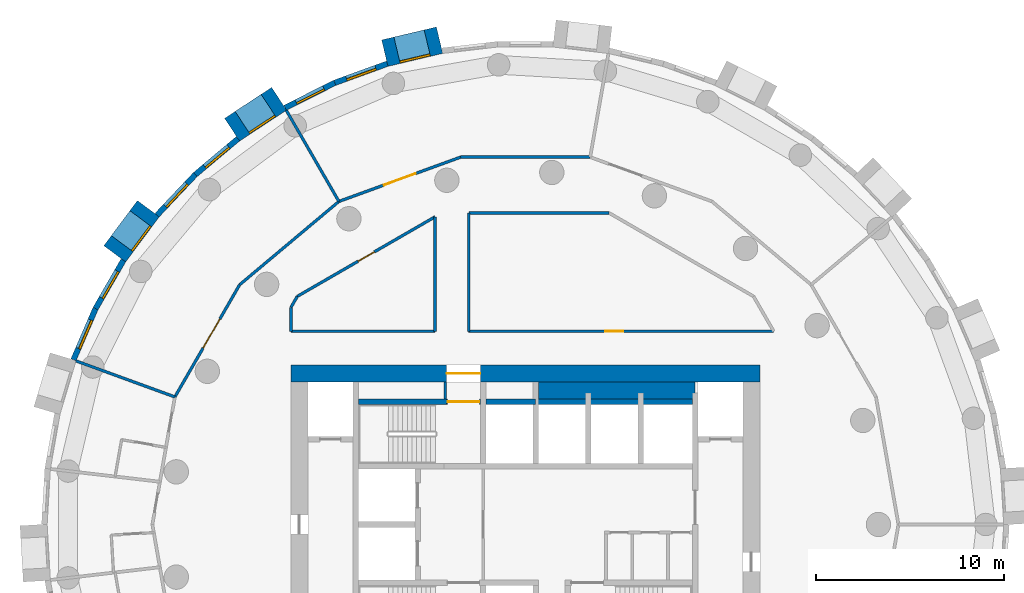
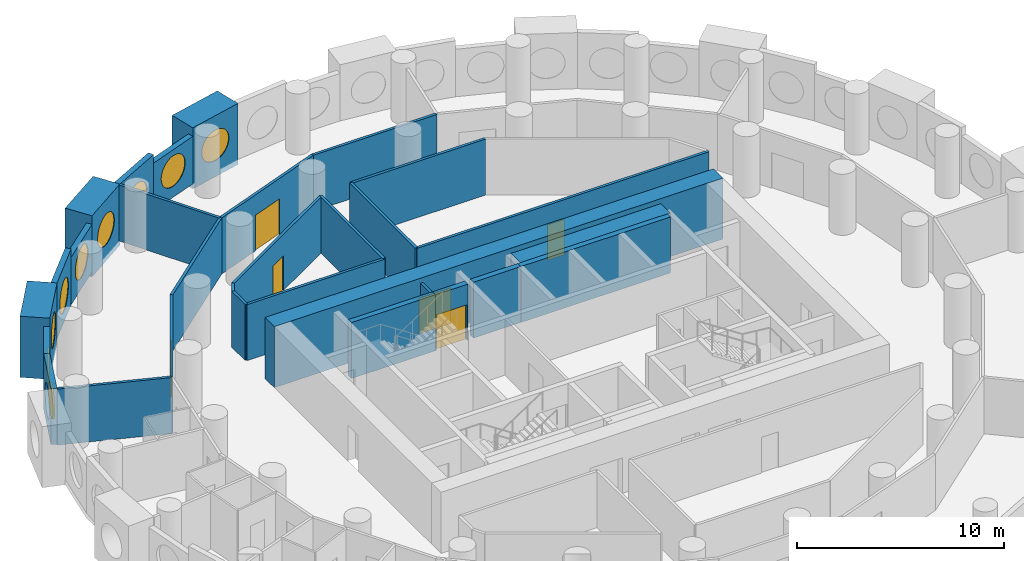
# One storey, part 6 of 9: 30 walls, 9 windows, 6 doors, 15 openings.
"""IFC4 building model written with IfcOpenShell, lengths in metres."""

from ifc_helpers import new_model, si_unit, direction, frame, frame_2d, origin, origin_2d, place, context, subcontext, project, spatial, rectangle, circle, extrude, material, layer, layer_set, type_object, element, fill, save


model = new_model("IFC4")

# Units and contexts
model_context = context("Model", 3, precision=1e-05, world=origin(), true_north=direction((0.0, 1.0)))
body_context = subcontext(model_context, "Body", "Model", "MODEL_VIEW")
ifc_project = project(units=[si_unit("LENGTHUNIT", "METRE"), si_unit("AREAUNIT", "SQUARE_METRE"), si_unit("VOLUMEUNIT", "CUBIC_METRE"), si_unit("PLANEANGLEUNIT", "RADIAN"), si_unit("MASSUNIT", "GRAM", prefix="KILO")], contexts=[model_context])

# Site, building, storey
site_placement = place(None, origin())
site = spatial("IfcSite", under=ifc_project, at=site_placement, CompositionType="ELEMENT")
building_placement = place(site_placement, origin())
building = spatial("IfcBuilding", under=site, at=building_placement, Name="Tracery Tower", CompositionType="ELEMENT")
storey_placement = place(building_placement, frame((0.0, 0.0, 208.800048828125)))
storey = spatial("IfcBuildingStorey", under=building, at=storey_placement, Name="L54", CompositionType="ELEMENT", Elevation=208.800048828125)

# Walls
ifc_material_1 = material(Name="Plasterboard on steel studs", Category="steel")
ifc_layer_1 = layer(ifc_material_1, 0.14990234375)
ifc_layer_set_1 = layer_set([ifc_layer_1], Name="Core room partition 150")
wall_type_1 = type_object("IfcWallType", Name="Core room partition 150", PredefinedType="SOLIDWALL", material=ifc_layer_set_1)
wall_1_placement = place(storey_placement, frame((-4.27490234375, 6.699951171875, 0.0), z_axis=(0.0, 0.0, 1.0), x_axis=(0.0, 1.0, 0.0)))
element("IfcWall", 1, at=wall_1_placement, inside=storey, type_object=wall_type_1, Name="L54 F N room", PredefinedType="SOLIDWALL", context=body_context, shape_type="SweptSolid", body=[
    extrude(rectangle(XDim=0.900146484375, YDim=0.14990234375, at=frame_2d((0.4501953125, 0.0))), origin(), (0.0, 0.0, 1.0), 3.300048828125),
])
ifc_material_2 = material(Name="Concrete C50/60", Category="concrete")
ifc_layer_2 = layer(ifc_material_2, 0.89990234375)
ifc_layer_set_2 = layer_set([ifc_layer_2], Name="Core strip wall 900 C50")
wall_type_2 = type_object("IfcWallType", Name="Core strip wall 900 C50", PredefinedType="SOLIDWALL", material=ifc_layer_set_2)
wall_2_placement = place(storey_placement, frame((0.699951171875, 7.14990234375, 0.0), z_axis=(0.0, 0.0, 1.0), x_axis=(1.0, 0.0, 0.0)))
element("IfcWall", 2, at=wall_2_placement, inside=storey, type_object=wall_type_2, Name="L54 F thick N E", PredefinedType="SOLIDWALL", context=body_context, shape_type="SweptSolid", body=[
    extrude(rectangle(XDim=8.35009765625, YDim=0.89990234375, at=frame_2d((4.175048828125, 0.0))), origin(), (0.0, 0.0, 1.0), 3.300048828125),
])

# Wall, opening, door
ifc_material_3 = material(Name="Concrete C50/60", Category="concrete")
ifc_layer_3 = layer(ifc_material_3, 0.89990234375)
ifc_layer_set_3 = layer_set([ifc_layer_3], Name="Core wall 900 C50")
wall_type_3 = type_object("IfcWallType", Name="Core wall 900 C50", PredefinedType="SOLIDWALL", material=ifc_layer_set_3)
wall_3_placement = place(storey_placement, frame((-12.5, 8.050048828125, 0.0), z_axis=(0.0, 0.0, 1.0), x_axis=(1.0, 0.0, 0.0)))
wall_3 = element("IfcWall", 3, at=wall_3_placement, inside=storey, type_object=wall_type_3, Name="L54 outer N", PredefinedType="SOLIDWALL", context=body_context, shape_type="SweptSolid", body=[
    extrude(rectangle(XDim=25.0, YDim=0.89990234375, at=frame_2d((12.5, 0.0))), origin(), (0.0, 0.0, 1.0), 3.599853515625),
])
opening_1_placement = place(wall_3_placement, frame((8.300048828125, 0.0, 0.0)))
opening_1 = element("IfcOpeningElement", 4, at=opening_1_placement, cuts=wall_3, Name="Opening KD13", PredefinedType="OPENING", context=body_context, shape_type="SweptSolid", body=[
    extrude(rectangle(XDim=1.800048828125, YDim=2.10009765625, at=frame_2d((0.89990234375, 1.050048828125))), frame((0.0, 0.449951171875, 0.0), z_axis=(0.0, -1.0, 0.0), x_axis=(1.0, 0.0, 0.0)), (0.0, 0.0, 1.0), 0.89990234375),
])
ifc_material_4 = material(Name="Steel fire door", Category="steel")
door_type_1 = type_object("IfcDoorType", Name="Core exit door 1800 double", OperationType="NOTDEFINED", PredefinedType="DOOR", material=ifc_material_4)
door_1_placement = place(opening_1_placement, origin())
door_1 = element("IfcDoor", 5, at=door_1_placement, inside=storey, type_object=door_type_1, Name="Core exit door", OperationType="DOUBLE_DOOR_SINGLE_SWING", OverallHeight=2.10009765625, OverallWidth=1.800048828125, PredefinedType="DOOR", context=body_context, shape_type="SweptSolid", body=[
    extrude(rectangle(XDim=1.800048828125, YDim=2.10009765625, at=frame_2d((0.89990234375, 1.050048828125))), frame((0.0, 0.02490234375, 0.0), z_axis=(0.0, -1.0, 0.0), x_axis=(1.0, 0.0, 0.0)), (0.0, 0.0, 1.0), 0.050048828125),
])
fill(opening_1, door_1)

# Wall, opening, window
ifc_material_5 = material(Name="Precast concrete C50/60", Category="concrete")
ifc_layer_4 = layer(ifc_material_5, 1.449951171875)
ifc_layer_set_4 = layer_set([ifc_layer_4], Name="Deep-set bay unit 3000 x 3600, slab edge 300")
wall_type_4 = type_object("IfcWallType", Name="Deep-set bay unit 3000 x 3600, slab edge 300", PredefinedType="ELEMENTEDWALL", material=ifc_layer_set_4)
wall_4_placement = place(storey_placement, frame((-4.57763671875, 25.8193359375, -0.300048828125), z_axis=(0.0, 0.0, 1.0), x_axis=(-0.973042333261, -0.23062657627, 0.0)))
wall_4 = element("IfcWall", 6, at=wall_4_placement, inside=storey, type_object=wall_type_4, Name="Deep-set bay unit 16 at L54", PredefinedType="ELEMENTEDWALL", context=body_context, shape_type="SweptSolid", body=[
    extrude(rectangle(XDim=3.0, YDim=1.449951171875, at=frame_2d((1.5, 0.0))), origin(), (0.0, 0.0, 1.0), 3.60009765625),
])
opening_2_placement = place(wall_4_placement, frame((1.5, 0.0, 1.85009765625)))
opening_2 = element("IfcOpeningElement", 7, at=opening_2_placement, cuts=wall_4, Name="Opening WN1", PredefinedType="OPENING", context=body_context, shape_type="SweptSolid", body=[
    extrude(circle(Radius=0.9000244140625, at=origin_2d()), frame((0.0, 0.73486328125, 0.0), z_axis=(0.0, -1.0, 0.0), x_axis=(1.0, 0.0, 0.0)), (0.0, 0.0, 1.0), 1.469970703125),
])
ifc_material_6 = material(Name="Aluminium frame with tinted double glazing", Category="aluminium")
window_type = type_object("IfcWindowType", Name="Round window 1800", PartitioningType="SINGLE_PANEL", PredefinedType="WINDOW", material=ifc_material_6)
window_1_placement = place(opening_2_placement, origin())
window_1 = element("IfcWindow", 8, at=window_1_placement, inside=storey, type_object=window_type, Name="Round window 16 at L54", OverallHeight=1.800048828125, OverallWidth=1.800048828125, PartitioningType="SINGLE_PANEL", PredefinedType="WINDOW", context=body_context, shape_type="SweptSolid", body=[
    extrude(circle(Radius=0.9000244140625, at=origin_2d()), frame((0.0, 0.69482421875, 0.0), z_axis=(0.0, -1.0, 0.0), x_axis=(1.0, 0.0, 0.0)), (0.0, 0.0, 1.0), 0.10009765625),
])
fill(opening_2, window_1)

wall_5_placement = place(storey_placement, frame((-13.13232421875, 22.696533203125, -0.300048828125), z_axis=(0.0, 0.0, 1.0), x_axis=(-0.835514416706, -0.549468524554, 0.0)))
wall_5 = element("IfcWall", 9, at=wall_5_placement, inside=storey, type_object=wall_type_4, Name="Deep-set bay unit 19 at L54", PredefinedType="ELEMENTEDWALL", context=body_context, shape_type="SweptSolid", body=[
    extrude(rectangle(XDim=3.0, YDim=1.449951171875, at=frame_2d((1.5, 0.0))), origin(), (0.0, 0.0, 1.0), 3.60009765625),
])
opening_3_placement = place(wall_5_placement, frame((1.5, 0.0, 1.85009765625)))
opening_3 = element("IfcOpeningElement", 10, at=opening_3_placement, cuts=wall_5, Name="Opening WN1", PredefinedType="OPENING", context=body_context, shape_type="SweptSolid", body=[
    extrude(circle(Radius=0.9000244140625, at=origin_2d()), frame((0.0, 0.73486328125, 0.0), z_axis=(0.0, -1.0, 0.0), x_axis=(1.0, 0.0, 0.0)), (0.0, 0.0, 1.0), 1.469970703125),
])
window_2_placement = place(opening_3_placement, origin())
window_2 = element("IfcWindow", 11, at=window_2_placement, inside=storey, type_object=window_type, Name="Round window 19 at L54", OverallHeight=1.800048828125, OverallWidth=1.800048828125, PartitioningType="SINGLE_PANEL", PredefinedType="WINDOW", context=body_context, shape_type="SweptSolid", body=[
    extrude(circle(Radius=0.9000244140625, at=origin_2d()), frame((0.0, 0.69482421875, 0.0), z_axis=(0.0, -1.0, 0.0), x_axis=(1.0, 0.0, 0.0)), (0.0, 0.0, 1.0), 0.10009765625),
])
fill(opening_3, window_2)

wall_6_placement = place(storey_placement, frame((-20.10302734375, 16.836181640625, -0.300048828125), z_axis=(0.0, 0.0, 1.0), x_axis=(-0.597183717734, -0.802104486506, 0.0)))
wall_6 = element("IfcWall", 12, at=wall_6_placement, inside=storey, type_object=wall_type_4, Name="Deep-set bay unit 22 at L54", PredefinedType="ELEMENTEDWALL", context=body_context, shape_type="SweptSolid", body=[
    extrude(rectangle(XDim=3.0, YDim=1.449951171875, at=frame_2d((1.5, 0.0))), origin(), (0.0, 0.0, 1.0), 3.60009765625),
])
opening_4_placement = place(wall_6_placement, frame((1.5, 0.0, 1.85009765625)))
opening_4 = element("IfcOpeningElement", 13, at=opening_4_placement, cuts=wall_6, Name="Opening WN1", PredefinedType="OPENING", context=body_context, shape_type="SweptSolid", body=[
    extrude(circle(Radius=0.9000244140625, at=origin_2d()), frame((0.0, 0.73486328125, 0.0), z_axis=(0.0, -1.0, 0.0), x_axis=(1.0, 0.0, 0.0)), (0.0, 0.0, 1.0), 1.469970703125),
])
window_3_placement = place(opening_4_placement, origin())
window_3 = element("IfcWindow", 14, at=window_3_placement, inside=storey, type_object=window_type, Name="Round window 22 at L54", OverallHeight=1.800048828125, OverallWidth=1.800048828125, PartitioningType="SINGLE_PANEL", PredefinedType="WINDOW", context=body_context, shape_type="SweptSolid", body=[
    extrude(circle(Radius=0.9000244140625, at=origin_2d()), frame((0.0, 0.69482421875, 0.0), z_axis=(0.0, -1.0, 0.0), x_axis=(1.0, 0.0, 0.0)), (0.0, 0.0, 1.0), 0.10009765625),
])
fill(opening_4, window_3)

ifc_material_7 = material(Name="Precast concrete C50/60", Category="concrete")
ifc_layer_5 = layer(ifc_material_7, 0.300048828125)
ifc_layer_set_5 = layer_set([ifc_layer_5], Name="Facade panel 3000 x 2800")
wall_type_5 = type_object("IfcWallType", Name="Facade panel 3000 x 2800", PredefinedType="SOLIDWALL", material=ifc_layer_set_5)
wall_7_placement = place(storey_placement, frame((-7.36474609375, 24.566650390625, 0.0), z_axis=(0.0, 0.0, 1.0), x_axis=(-0.939690282133, -0.342026568652, 0.0)))
wall_7 = element("IfcWall", 15, at=wall_7_placement, inside=storey, type_object=wall_type_5, Name="Facade panel 17 at L54", PredefinedType="SOLIDWALL", context=body_context, shape_type="SweptSolid", body=[
    extrude(rectangle(XDim=2.972900390625, YDim=0.300048828125, at=frame_2d((1.486328125, 0.0))), origin(), (0.0, 0.0, 1.0), 2.800048828125),
])
opening_5_placement = place(wall_7_placement, frame((1.486328125, 0.0, 1.5498046875)))
opening_5 = element("IfcOpeningElement", 16, at=opening_5_placement, cuts=wall_7, Name="Opening WN1", PredefinedType="OPENING", context=body_context, shape_type="SweptSolid", body=[
    extrude(circle(Radius=0.9000244140625, at=origin_2d()), frame((0.0, 0.159912109375, 0.0), z_axis=(0.0, -1.0, 0.0), x_axis=(1.0, 0.0, 0.0)), (0.0, 0.0, 1.0), 0.320068359375),
])
window_4_placement = place(opening_5_placement, origin())
window_4 = element("IfcWindow", 17, at=window_4_placement, inside=storey, type_object=window_type, Name="Round window 17 at L54", OverallHeight=1.800048828125, OverallWidth=1.800048828125, PartitioningType="SINGLE_PANEL", PredefinedType="WINDOW", context=body_context, shape_type="SweptSolid", body=[
    extrude(circle(Radius=0.9000244140625, at=origin_2d()), frame((0.0, 0.1201171875, 0.0), z_axis=(0.0, -1.0, 0.0), x_axis=(1.0, 0.0, 0.0)), (0.0, 0.0, 1.0), 0.10009765625),
])
fill(opening_5, window_4)

wall_8_placement = place(storey_placement, frame((-15.322998046875, 20.566162109375, 0.0), z_axis=(0.0, 0.0, 1.0), x_axis=(-0.766049350637, -0.642781761089, 0.0)))
wall_8 = element("IfcWall", 18, at=wall_8_placement, inside=storey, type_object=wall_type_5, Name="Facade panel 20 at L54", PredefinedType="SOLIDWALL", context=body_context, shape_type="SweptSolid", body=[
    extrude(rectangle(XDim=2.972900390625, YDim=0.300048828125, at=frame_2d((1.486328125, 0.0))), origin(), (0.0, 0.0, 1.0), 2.800048828125),
])
opening_6_placement = place(wall_8_placement, frame((1.486328125, 0.0, 1.5498046875)))
opening_6 = element("IfcOpeningElement", 19, at=opening_6_placement, cuts=wall_8, Name="Opening WN1", PredefinedType="OPENING", context=body_context, shape_type="SweptSolid", body=[
    extrude(circle(Radius=0.9000244140625, at=origin_2d()), frame((0.0, 0.159912109375, 0.0), z_axis=(0.0, -1.0, 0.0), x_axis=(1.0, 0.0, 0.0)), (0.0, 0.0, 1.0), 0.320068359375),
])
window_5_placement = place(opening_6_placement, origin())
window_5 = element("IfcWindow", 20, at=window_5_placement, inside=storey, type_object=window_type, Name="Round window 20 at L54", OverallHeight=1.800048828125, OverallWidth=1.800048828125, PartitioningType="SINGLE_PANEL", PredefinedType="WINDOW", context=body_context, shape_type="SweptSolid", body=[
    extrude(circle(Radius=0.9000244140625, at=origin_2d()), frame((0.0, 0.1201171875, 0.0), z_axis=(0.0, -1.0, 0.0), x_axis=(1.0, 0.0, 0.0)), (0.0, 0.0, 1.0), 0.10009765625),
])
fill(opening_6, window_5)

wall_9_placement = place(storey_placement, frame((-21.432861328125, 14.085205078125, 0.0), z_axis=(0.0, 0.0, 1.0), x_axis=(-0.500016263033, -0.866016014115, 0.0)))
wall_9 = element("IfcWall", 21, at=wall_9_placement, inside=storey, type_object=wall_type_5, Name="Facade panel 23 at L54", PredefinedType="SOLIDWALL", context=body_context, shape_type="SweptSolid", body=[
    extrude(rectangle(XDim=2.97314453125, YDim=0.300048828125, at=frame_2d((1.486572265625, 0.0))), origin(), (0.0, 0.0, 1.0), 2.800048828125),
])
opening_7_placement = place(wall_9_placement, frame((1.486328125, 0.0, 1.5498046875)))
opening_7 = element("IfcOpeningElement", 22, at=opening_7_placement, cuts=wall_9, Name="Opening WN1", PredefinedType="OPENING", context=body_context, shape_type="SweptSolid", body=[
    extrude(circle(Radius=0.9000244140625, at=origin_2d()), frame((0.0, 0.159912109375, 0.0), z_axis=(0.0, -1.0, 0.0), x_axis=(1.0, 0.0, 0.0)), (0.0, 0.0, 1.0), 0.320068359375),
])
window_6_placement = place(opening_7_placement, origin())
window_6 = element("IfcWindow", 23, at=window_6_placement, inside=storey, type_object=window_type, Name="Round window 23 at L54", OverallHeight=1.800048828125, OverallWidth=1.800048828125, PartitioningType="SINGLE_PANEL", PredefinedType="WINDOW", context=body_context, shape_type="SweptSolid", body=[
    extrude(circle(Radius=0.9000244140625, at=origin_2d()), frame((0.0, 0.1201171875, 0.0), z_axis=(0.0, -1.0, 0.0), x_axis=(1.0, 0.0, 0.0)), (0.0, 0.0, 1.0), 0.10009765625),
])
fill(opening_7, window_6)

ifc_material_8 = material(Name="Precast concrete C50/60", Category="concrete")
ifc_layer_6 = layer(ifc_material_8, 0.300048828125)
ifc_layer_set_6 = layer_set([ifc_layer_6], Name="Facade panel 3000 x 3300")
wall_type_6 = type_object("IfcWallType", Name="Facade panel 3000 x 3300", PredefinedType="SOLIDWALL", material=ifc_layer_set_6)
wall_10_placement = place(storey_placement, frame((-10.158447265625, 23.5498046875, 0.0), z_axis=(0.0, 0.0, 1.0), x_axis=(-0.893637442555, -0.448789618045, 0.0)))
wall_10 = element("IfcWall", 24, at=wall_10_placement, inside=storey, type_object=wall_type_6, Name="Facade panel 18 at L54", PredefinedType="SOLIDWALL", context=body_context, shape_type="SweptSolid", body=[
    extrude(rectangle(XDim=2.972900390625, YDim=0.300048828125, at=frame_2d((1.486328125, 0.0))), origin(), (0.0, 0.0, 1.0), 3.300048828125),
])
opening_8_placement = place(wall_10_placement, frame((1.486328125, 0.0, 1.5498046875)))
opening_8 = element("IfcOpeningElement", 25, at=opening_8_placement, cuts=wall_10, Name="Opening WN1", PredefinedType="OPENING", context=body_context, shape_type="SweptSolid", body=[
    extrude(circle(Radius=0.9000244140625, at=origin_2d()), frame((0.0, 0.159912109375, 0.0), z_axis=(0.0, -1.0, 0.0), x_axis=(1.0, 0.0, 0.0)), (0.0, 0.0, 1.0), 0.320068359375),
])
window_7_placement = place(opening_8_placement, origin())
window_7 = element("IfcWindow", 26, at=window_7_placement, inside=storey, type_object=window_type, Name="Round window 18 at L54", OverallHeight=1.800048828125, OverallWidth=1.800048828125, PartitioningType="SINGLE_PANEL", PredefinedType="WINDOW", context=body_context, shape_type="SweptSolid", body=[
    extrude(circle(Radius=0.9000244140625, at=origin_2d()), frame((0.0, 0.1201171875, 0.0), z_axis=(0.0, -1.0, 0.0), x_axis=(1.0, 0.0, 0.0)), (0.0, 0.0, 1.0), 0.10009765625),
])
fill(opening_8, window_7)

wall_11_placement = place(storey_placement, frame((-17.600341796875, 18.6552734375, 0.0), z_axis=(0.0, 0.0, 1.0), x_axis=(-0.686235184166, -0.727379730273, 0.0)))
wall_11 = element("IfcWall", 27, at=wall_11_placement, inside=storey, type_object=wall_type_6, Name="Facade panel 21 at L54", PredefinedType="SOLIDWALL", context=body_context, shape_type="SweptSolid", body=[
    extrude(rectangle(XDim=2.972900390625, YDim=0.300048828125, at=frame_2d((1.486328125, 0.0))), origin(), (0.0, 0.0, 1.0), 3.300048828125),
])
opening_9_placement = place(wall_11_placement, frame((1.486328125, 0.0, 1.5498046875)))
opening_9 = element("IfcOpeningElement", 28, at=opening_9_placement, cuts=wall_11, Name="Opening WN1", PredefinedType="OPENING", context=body_context, shape_type="SweptSolid", body=[
    extrude(circle(Radius=0.9000244140625, at=origin_2d()), frame((0.0, 0.159912109375, 0.0), z_axis=(0.0, -1.0, 0.0), x_axis=(1.0, 0.0, 0.0)), (0.0, 0.0, 1.0), 0.320068359375),
])
window_8_placement = place(opening_9_placement, origin())
window_8 = element("IfcWindow", 29, at=window_8_placement, inside=storey, type_object=window_type, Name="Round window 21 at L54", OverallHeight=1.800048828125, OverallWidth=1.800048828125, PartitioningType="SINGLE_PANEL", PredefinedType="WINDOW", context=body_context, shape_type="SweptSolid", body=[
    extrude(circle(Radius=0.9000244140625, at=origin_2d()), frame((0.0, 0.1201171875, 0.0), z_axis=(0.0, -1.0, 0.0), x_axis=(1.0, 0.0, 0.0)), (0.0, 0.0, 1.0), 0.10009765625),
])
fill(opening_9, window_8)

wall_12_placement = place(storey_placement, frame((-22.91943359375, 11.510498046875, 0.0), z_axis=(0.0, 0.0, 1.0), x_axis=(-0.396078892785, -0.918216483565, 0.0)))
wall_12 = element("IfcWall", 30, at=wall_12_placement, inside=storey, type_object=wall_type_6, Name="Facade panel 24 at L54", PredefinedType="SOLIDWALL", context=body_context, shape_type="SweptSolid", body=[
    extrude(rectangle(XDim=2.972900390625, YDim=0.300048828125, at=frame_2d((1.486328125, 0.0))), origin(), (0.0, 0.0, 1.0), 3.300048828125),
])
opening_10_placement = place(wall_12_placement, frame((1.486328125, 0.0, 1.5498046875)))
opening_10 = element("IfcOpeningElement", 31, at=opening_10_placement, cuts=wall_12, Name="Opening WN1", PredefinedType="OPENING", context=body_context, shape_type="SweptSolid", body=[
    extrude(circle(Radius=0.9000244140625, at=origin_2d()), frame((0.0, 0.159912109375, 0.0), z_axis=(0.0, -1.0, 0.0), x_axis=(1.0, 0.0, 0.0)), (0.0, 0.0, 1.0), 0.320068359375),
])
window_9_placement = place(opening_10_placement, origin())
window_9 = element("IfcWindow", 32, at=window_9_placement, inside=storey, type_object=window_type, Name="Round window 24 at L54", OverallHeight=1.800048828125, OverallWidth=1.800048828125, PartitioningType="SINGLE_PANEL", PredefinedType="WINDOW", context=body_context, shape_type="SweptSolid", body=[
    extrude(circle(Radius=0.9000244140625, at=origin_2d()), frame((0.0, 0.1201171875, 0.0), z_axis=(0.0, -1.0, 0.0), x_axis=(1.0, 0.0, 0.0)), (0.0, 0.0, 1.0), 0.10009765625),
])
fill(opening_10, window_9)

# Walls
ifc_material_9 = material(Name="Plasterboard on steel studs", Category="steel")
ifc_layer_7 = layer(ifc_material_9, 0.14990234375)
ifc_layer_set_7 = layer_set([ifc_layer_7], Name="Partition 150 acoustic unit wall")
wall_type_7 = type_object("IfcWallType", Name="Partition 150 acoustic unit wall", PredefinedType="PARTITIONING", material=ifc_layer_set_7)
wall_13_placement = place(storey_placement, frame((-12.7490234375, 22.0810546875, 0.0), z_axis=(0.0, 0.0, 1.0), x_axis=(0.500010020406, -0.866019618423, 0.0)))
element("IfcWall", 33, at=wall_13_placement, inside=storey, type_object=wall_type_7, Name="Unit wall RB8-043", PredefinedType="PARTITIONING", context=body_context, shape_type="SweptSolid", body=[
    extrude(rectangle(XDim=5.60986328125, YDim=0.14990234375, at=frame_2d((2.804931640625, 0.0))), origin(), (0.0, 0.0, 1.0), 3.300048828125),
])
wall_14_placement = place(storey_placement, frame((-23.9599609375, 8.720947265625, 0.0), z_axis=(0.0, 0.0, 1.0), x_axis=(0.939686652043, -0.342036541866, 0.0)))
element("IfcWall", 34, at=wall_14_placement, inside=storey, type_object=wall_type_7, Name="Unit wall RB8-044", PredefinedType="PARTITIONING", context=body_context, shape_type="SweptSolid", body=[
    extrude(rectangle(XDim=5.6103515625, YDim=0.14990234375, at=frame_2d((2.80517578125, 0.0))), origin(), (0.0, 0.0, 1.0), 3.300048828125),
])
ifc_material_10 = material(Name="Plasterboard on steel studs", Category="steel")
ifc_layer_8 = layer(ifc_material_10, 0.14990234375)
ifc_layer_set_8 = layer_set([ifc_layer_8], Name="Partition 150 corridor wall")
wall_type_8 = type_object("IfcWallType", Name="Partition 150 corridor wall", PredefinedType="PARTITIONING", material=ifc_layer_set_8)
wall_15_placement = place(storey_placement, frame((-12.50390625, 10.300048828125, 0.0), z_axis=(0.0, 0.0, 1.0), x_axis=(1.0, 0.0, 0.0)))
element("IfcWall", 35, at=wall_15_placement, inside=storey, type_object=wall_type_8, Name="Corridor wall RB8-001", PredefinedType="PARTITIONING", context=body_context, shape_type="SweptSolid", body=[
    extrude(rectangle(XDim=7.68701171875, YDim=0.14990234375, at=frame_2d((3.843505859375, 0.0))), origin(), (0.0, 0.0, 1.0), 3.300048828125),
])

# Wall, opening, door
wall_16_placement = place(storey_placement, frame((-3.02490234375, 10.300048828125, 0.0), z_axis=(0.0, 0.0, 1.0), x_axis=(1.0, 0.0, 0.0)))
wall_16 = element("IfcWall", 36, at=wall_16_placement, inside=storey, type_object=wall_type_8, Name="Corridor wall RB8-002", PredefinedType="PARTITIONING", context=body_context, shape_type="SweptSolid", body=[
    extrude(rectangle(XDim=16.261962890625, YDim=0.14990234375, at=frame_2d((8.130859375, 0.0))), origin(), (0.0, 0.0, 1.0), 3.300048828125),
])
opening_11_placement = place(wall_16_placement, frame((7.2880859375, 0.0, 0.0)))
opening_11 = element("IfcOpeningElement", 37, at=opening_11_placement, cuts=wall_16, Name="Opening RB8-02", PredefinedType="OPENING", context=body_context, shape_type="SweptSolid", body=[
    extrude(rectangle(XDim=0.949951171875, YDim=2.10009765625, at=frame_2d((0.47509765625, 1.050048828125))), frame((0.0, 0.074951171875, 0.0), z_axis=(0.0, -1.0, 0.0), x_axis=(1.0, 0.0, 0.0)), (0.0, 0.0, 1.0), 0.14990234375),
])
ifc_material_11 = material(Name="Timber door leaf", Category="wood")
door_type_2 = type_object("IfcDoorType", Name="Door store 950", OperationType="NOTDEFINED", PredefinedType="DOOR", material=ifc_material_11)
door_2_placement = place(opening_11_placement, origin())
door_2 = element("IfcDoor", 38, at=door_2_placement, inside=storey, type_object=door_type_2, Name="Store door RB8-02", OperationType="SINGLE_SWING_RIGHT", OverallHeight=2.10009765625, OverallWidth=0.949951171875, PredefinedType="DOOR", context=body_context, shape_type="SweptSolid", body=[
    extrude(rectangle(XDim=0.949951171875, YDim=2.10009765625, at=frame_2d((0.47509765625, 1.050048828125))), frame((0.0, 0.02490234375, 0.0), z_axis=(0.0, -1.0, 0.0), x_axis=(1.0, 0.0, 0.0)), (0.0, 0.0, 1.0), 0.050048828125),
])
fill(opening_11, door_2)

# Wall
wall_17_placement = place(storey_placement, frame((-4.821044921875, 10.300048828125, 0.0), z_axis=(0.0, 0.0, 1.0), x_axis=(0.0, 1.0, 0.0)))
element("IfcWall", 39, at=wall_17_placement, inside=storey, type_object=wall_type_8, Name="Corridor wall RB8-013", PredefinedType="PARTITIONING", context=body_context, shape_type="SweptSolid", body=[
    extrude(rectangle(XDim=6.100830078125, YDim=0.14990234375, at=frame_2d((3.05029296875, 0.0))), origin(), (0.0, 0.0, 1.0), 3.300048828125),
])

# Wall, opening, door
wall_18_placement = place(storey_placement, frame((-12.162109375, 12.162109375, 0.0), z_axis=(0.0, 0.0, 1.0), x_axis=(0.866004766557, 0.500035743023, 0.0)))
wall_18 = element("IfcWall", 40, at=wall_18_placement, inside=storey, type_object=wall_type_8, Name="Corridor wall RB8-014", PredefinedType="PARTITIONING", context=body_context, shape_type="SweptSolid", body=[
    extrude(rectangle(XDim=8.47705078125, YDim=0.14990234375, at=frame_2d((4.238525390625, 0.0))), origin(), (0.0, 0.0, 1.0), 3.300048828125),
])
opening_12_placement = place(wall_18_placement, frame((3.739013671875, 0.0, 0.0)))
opening_12 = element("IfcOpeningElement", 41, at=opening_12_placement, cuts=wall_18, Name="Opening RB8-01", PredefinedType="OPENING", context=body_context, shape_type="SweptSolid", body=[
    extrude(rectangle(XDim=1.0, YDim=2.0400390625, at=frame_2d((0.5, 1.02001953125))), frame((0.0, 0.074951171875, 0.0), z_axis=(0.0, -1.0, 0.0), x_axis=(1.0, 0.0, 0.0)), (0.0, 0.0, 1.0), 0.14990234375),
])
ifc_material_12 = material(Name="Timber door leaf", Category="wood")
door_type_3 = type_object("IfcDoorType", Name="Door communal room 1000", OperationType="NOTDEFINED", PredefinedType="DOOR", material=ifc_material_12)
door_3_placement = place(opening_12_placement, origin())
door_3 = element("IfcDoor", 42, at=door_3_placement, inside=storey, type_object=door_type_3, Name="Communal room door RB8-01", OperationType="SINGLE_SWING_LEFT", OverallHeight=2.0400390625, OverallWidth=1.0, PredefinedType="DOOR", context=body_context, shape_type="SweptSolid", body=[
    extrude(rectangle(XDim=1.0, YDim=2.0400390625, at=frame_2d((0.5, 1.02001953125))), frame((0.0, 0.02490234375, 0.0), z_axis=(0.0, -1.0, 0.0), x_axis=(1.0, 0.0, 0.0)), (0.0, 0.0, 1.0), 0.050048828125),
])
fill(opening_12, door_3)

# Walls
wall_19_placement = place(storey_placement, frame((-3.02099609375, 16.614013671875, 0.0), z_axis=(0.0, 0.0, 1.0), x_axis=(1.0, 0.0, 0.0)))
element("IfcWall", 43, at=wall_19_placement, inside=storey, type_object=wall_type_8, Name="Corridor wall RB8-016", PredefinedType="PARTITIONING", context=body_context, shape_type="SweptSolid", body=[
    extrude(rectangle(XDim=7.472900390625, YDim=0.14990234375, at=frame_2d((3.736328125, 0.0))), origin(), (0.0, 0.0, 1.0), 3.300048828125),
])
wall_20_placement = place(storey_placement, frame((-3.02099609375, 10.300048828125, 0.0), z_axis=(0.0, 0.0, 1.0), x_axis=(0.0, 1.0, 0.0)))
element("IfcWall", 44, at=wall_20_placement, inside=storey, type_object=wall_type_8, Name="Corridor wall RB8-017", PredefinedType="PARTITIONING", context=body_context, shape_type="SweptSolid", body=[
    extrude(rectangle(XDim=6.31396484375, YDim=0.14990234375, at=frame_2d((3.156982421875, 0.0))), origin(), (0.0, 0.0, 1.0), 3.300048828125),
])

# Wall, opening, door
wall_21_placement = place(storey_placement, frame((-9.944091796875, 17.222900390625, 0.0), z_axis=(0.0, 0.0, 1.0), x_axis=(0.939672634566, 0.342075050021, 0.0)))
wall_21 = element("IfcWall", 45, at=wall_21_placement, inside=storey, type_object=wall_type_8, Name="Corridor wall RB8-019", PredefinedType="PARTITIONING", context=body_context, shape_type="SweptSolid", body=[
    extrude(rectangle(XDim=6.907958984375, YDim=0.14990234375, at=frame_2d((3.4541015625, 0.0))), origin(), (0.0, 0.0, 1.0), 3.300048828125),
])
opening_13_placement = place(wall_21_placement, frame((2.553955078125, 0.0, 0.0)))
opening_13 = element("IfcOpeningElement", 46, at=opening_13_placement, cuts=wall_21, Name="Opening RB8-07", PredefinedType="OPENING", context=body_context, shape_type="SweptSolid", body=[
    extrude(rectangle(XDim=1.800048828125, YDim=2.10009765625, at=frame_2d((0.89990234375, 1.050048828125))), frame((0.0, 0.074951171875, 0.0), z_axis=(0.0, -1.0, 0.0), x_axis=(1.0, 0.0, 0.0)), (0.0, 0.0, 1.0), 0.14990234375),
])
ifc_material_13 = material(Name="Timber door leaf", Category="wood")
door_type_4 = type_object("IfcDoorType", Name="Door double lounge 1800", OperationType="NOTDEFINED", PredefinedType="DOOR", material=ifc_material_13)
door_4_placement = place(opening_13_placement, origin())
door_4 = element("IfcDoor", 47, at=door_4_placement, inside=storey, type_object=door_type_4, Name="Double lounge door RB8-07", OperationType="DOUBLE_DOOR_SINGLE_SWING", OverallHeight=2.10009765625, OverallWidth=1.800048828125, PredefinedType="DOOR", context=body_context, shape_type="SweptSolid", body=[
    extrude(rectangle(XDim=1.800048828125, YDim=2.10009765625, at=frame_2d((0.89990234375, 1.050048828125))), frame((0.0, 0.02490234375, 0.0), z_axis=(0.0, -1.0, 0.0), x_axis=(1.0, 0.0, 0.0)), (0.0, 0.0, 1.0), 0.050048828125),
])
fill(opening_13, door_4)

# Walls
wall_22_placement = place(storey_placement, frame((-3.452880859375, 19.5859375, 0.0), z_axis=(0.0, 0.0, 1.0), x_axis=(1.0, 0.0, 0.0)))
element("IfcWall", 48, at=wall_22_placement, inside=storey, type_object=wall_type_8, Name="Corridor wall RB8-020", PredefinedType="PARTITIONING", context=body_context, shape_type="SweptSolid", body=[
    extrude(rectangle(XDim=6.90576171875, YDim=0.14990234375, at=frame_2d((3.452880859375, 0.0))), origin(), (0.0, 0.0, 1.0), 3.300048828125),
])
wall_23_placement = place(storey_placement, frame((-15.23486328125, 12.78369140625, 0.0), z_axis=(0.0, 0.0, 1.0), x_axis=(0.766064078986, 0.642764207845, 0.0)))
element("IfcWall", 49, at=wall_23_placement, inside=storey, type_object=wall_type_8, Name="Corridor wall RB8-021", PredefinedType="PARTITIONING", context=body_context, shape_type="SweptSolid", body=[
    extrude(rectangle(XDim=6.906494140625, YDim=0.14990234375, at=frame_2d((3.453125, 0.0))), origin(), (0.0, 0.0, 1.0), 3.300048828125),
])
wall_24_placement = place(storey_placement, frame((-12.5, 11.576904296875, 0.0), z_axis=(0.0, 0.0, 1.0), x_axis=(0.500024767483, 0.866011103799, 0.0)))
element("IfcWall", 50, at=wall_24_placement, inside=storey, type_object=wall_type_8, Name="Corridor wall RB8-022", PredefinedType="PARTITIONING", context=body_context, shape_type="SweptSolid", body=[
    extrude(rectangle(XDim=0.67578125, YDim=0.14990234375, at=frame_2d((0.337890625, 0.0))), origin(), (0.0, 0.0, 1.0), 3.300048828125),
])
wall_25_placement = place(storey_placement, frame((-12.5, 10.300048828125, 0.0), z_axis=(0.0, 0.0, 1.0), x_axis=(0.0, 1.0, 0.0)))
element("IfcWall", 51, at=wall_25_placement, inside=storey, type_object=wall_type_8, Name="Corridor wall RB8-023", PredefinedType="PARTITIONING", context=body_context, shape_type="SweptSolid", body=[
    extrude(rectangle(XDim=1.27685546875, YDim=0.14990234375, at=frame_2d((0.638427734375, 0.0))), origin(), (0.0, 0.0, 1.0), 3.300048828125),
])

# Wall, opening, door
wall_26_placement = place(storey_placement, frame((-18.68798828125, 6.802001953125, 0.0), z_axis=(0.0, 0.0, 1.0), x_axis=(0.499914202267, 0.866074933462, 0.0)))
wall_26 = element("IfcWall", 52, at=wall_26_placement, inside=storey, type_object=wall_type_8, Name="Corridor wall RB8-026", PredefinedType="PARTITIONING", context=body_context, shape_type="SweptSolid", body=[
    extrude(rectangle(XDim=6.906982421875, YDim=0.14990234375, at=frame_2d((3.45361328125, 0.0))), origin(), (0.0, 0.0, 1.0), 3.300048828125),
])
opening_14_placement = place(wall_26_placement, frame((3.00390625, 0.0, 0.0)))
opening_14 = element("IfcOpeningElement", 53, at=opening_14_placement, cuts=wall_26, Name="Opening RB8-08", PredefinedType="OPENING", context=body_context, shape_type="SweptSolid", body=[
    extrude(rectangle(XDim=1.800048828125, YDim=2.10009765625, at=frame_2d((0.89990234375, 1.050048828125))), frame((0.0, 0.074951171875, 0.0), z_axis=(0.0, -1.0, 0.0), x_axis=(1.0, 0.0, 0.0)), (0.0, 0.0, 1.0), 0.14990234375),
])
door_5_placement = place(opening_14_placement, origin())
door_5 = element("IfcDoor", 54, at=door_5_placement, inside=storey, type_object=door_type_4, Name="Double lounge door RB8-08", OperationType="DOUBLE_DOOR_SINGLE_SWING", OverallHeight=2.10009765625, OverallWidth=1.800048828125, PredefinedType="DOOR", context=body_context, shape_type="SweptSolid", body=[
    extrude(rectangle(XDim=1.800048828125, YDim=2.10009765625, at=frame_2d((0.89990234375, 1.050048828125))), frame((0.0, 0.02490234375, 0.0), z_axis=(0.0, -1.0, 0.0), x_axis=(1.0, 0.0, 0.0)), (0.0, 0.0, 1.0), 0.050048828125),
])
fill(opening_14, door_5)

# Wall
ifc_material_14 = material(Name="Concrete C50/60", Category="concrete")
ifc_layer_9 = layer(ifc_material_14, 0.300048828125)
ifc_layer_set_9 = layer_set([ifc_layer_9], Name="Stair wall 300 C50")
wall_type_9 = type_object("IfcWallType", Name="Stair wall 300 C50", PredefinedType="SOLIDWALL", material=ifc_layer_set_9)
wall_27_placement = place(storey_placement, frame((-8.89990234375, 6.550048828125, 0.0), z_axis=(0.0, 0.0, 1.0), x_axis=(1.0, 0.0, 0.0)))
element("IfcWall", 55, at=wall_27_placement, inside=storey, type_object=wall_type_9, Name="L54 F N W", PredefinedType="SOLIDWALL", context=body_context, shape_type="SweptSolid", body=[
    extrude(rectangle(XDim=4.699951171875, YDim=0.300048828125, at=frame_2d((2.35009765625, 0.0))), origin(), (0.0, 0.0, 1.0), 3.300048828125),
])

# Wall, opening, door
wall_28_placement = place(storey_placement, frame((-4.199951171875, 6.550048828125, 0.0), z_axis=(0.0, 0.0, 1.0), x_axis=(1.0, 0.0, 0.0)))
wall_28 = element("IfcWall", 56, at=wall_28_placement, inside=storey, type_object=wall_type_9, Name="L54 F stair N", PredefinedType="SOLIDWALL", context=body_context, shape_type="SweptSolid", body=[
    extrude(rectangle(XDim=1.800048828125, YDim=0.300048828125, at=frame_2d((0.89990234375, 0.0))), origin(), (0.0, 0.0, 1.0), 3.300048828125),
])
opening_15_placement = place(wall_28_placement, frame((0.050048828125, 0.0, 0.0)))
opening_15 = element("IfcOpeningElement", 57, at=opening_15_placement, cuts=wall_28, Name="Opening KD3", PredefinedType="OPENING", context=body_context, shape_type="SweptSolid", body=[
    extrude(rectangle(XDim=1.699951171875, YDim=2.10009765625, at=frame_2d((0.85009765625, 1.050048828125))), frame((0.0, 0.14990234375, 0.0), z_axis=(0.0, -1.0, 0.0), x_axis=(1.0, 0.0, 0.0)), (0.0, 0.0, 1.0), 0.300048828125),
])
ifc_material_15 = material(Name="Steel fire door", Category="steel")
door_type_5 = type_object("IfcDoorType", Name="Core stair door 1700 double", OperationType="NOTDEFINED", PredefinedType="DOOR", material=ifc_material_15)
door_6_placement = place(opening_15_placement, origin())
door_6 = element("IfcDoor", 58, at=door_6_placement, inside=storey, type_object=door_type_5, Name="Stair door vest", OperationType="DOUBLE_DOOR_SINGLE_SWING", OverallHeight=2.10009765625, OverallWidth=1.699951171875, PredefinedType="DOOR", context=body_context, shape_type="SweptSolid", body=[
    extrude(rectangle(XDim=1.699951171875, YDim=2.10009765625, at=frame_2d((0.85009765625, 1.050048828125))), frame((0.0, 0.02490234375, 0.0), z_axis=(0.0, -1.0, 0.0), x_axis=(1.0, 0.0, 0.0)), (0.0, 0.0, 1.0), 0.050048828125),
])
fill(opening_15, door_6)

# Walls
wall_29_placement = place(storey_placement, frame((-2.10009765625, 6.550048828125, 0.0), z_axis=(0.0, 0.0, 1.0), x_axis=(1.0, 0.0, 0.0)))
element("IfcWall", 59, at=wall_29_placement, inside=storey, type_object=wall_type_9, Name="L54 F N E1", PredefinedType="SOLIDWALL", context=body_context, shape_type="SweptSolid", body=[
    extrude(rectangle(XDim=2.650146484375, YDim=0.300048828125, at=frame_2d((1.3251953125, 0.0))), origin(), (0.0, 0.0, 1.0), 3.300048828125),
])
wall_30_placement = place(storey_placement, frame((0.550048828125, 6.550048828125, 0.0), z_axis=(0.0, 0.0, 1.0), x_axis=(1.0, 0.0, 0.0)))
element("IfcWall", 60, at=wall_30_placement, inside=storey, type_object=wall_type_9, Name="L54 F stair strip N E", PredefinedType="SOLIDWALL", context=body_context, shape_type="SweptSolid", body=[
    extrude(rectangle(XDim=8.349853515625, YDim=0.300048828125, at=frame_2d((4.1748046875, 0.0))), origin(), (0.0, 0.0, 1.0), 3.300048828125),
])

save(model, "model.ifc")
